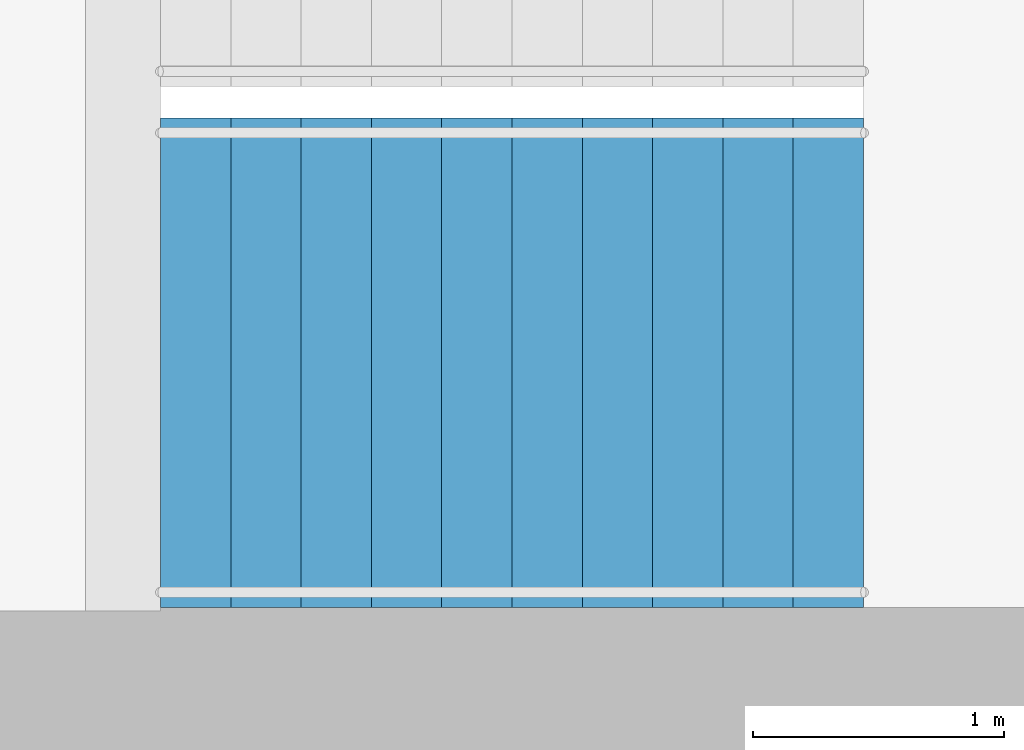
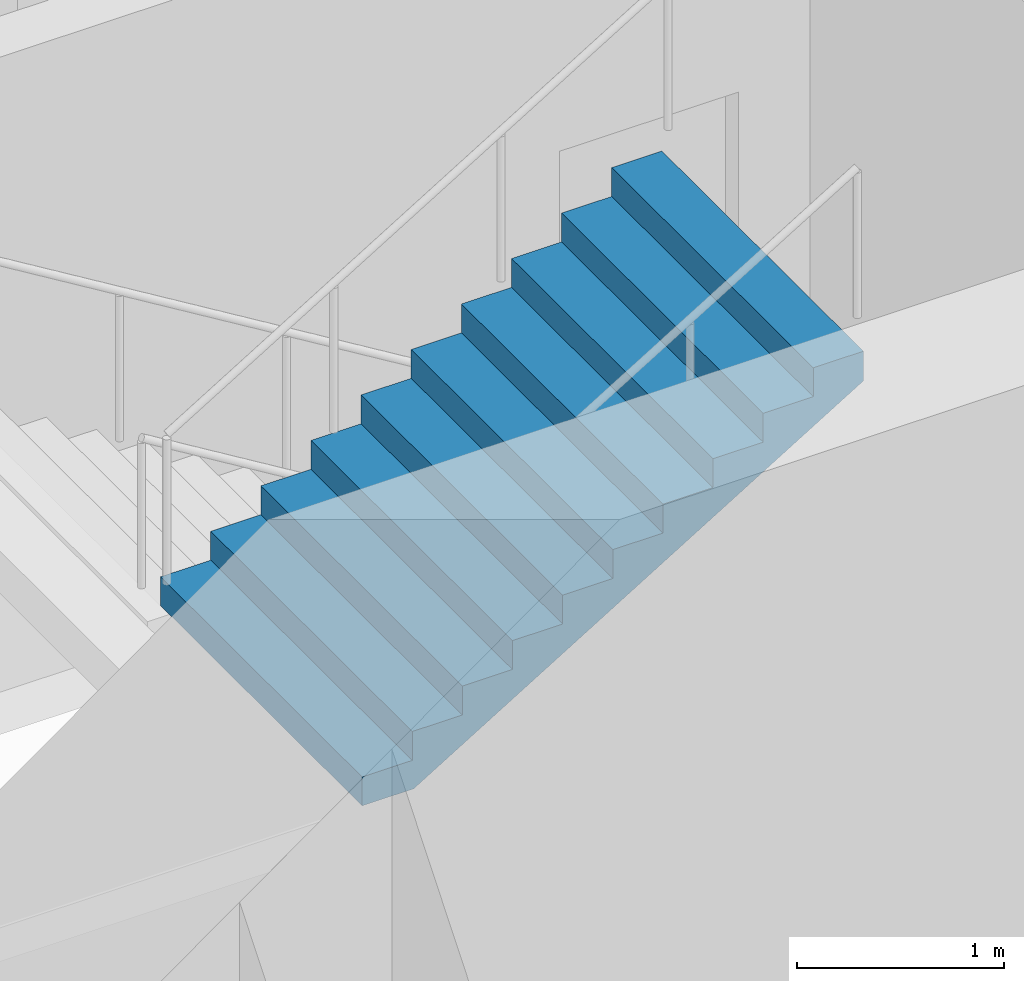
# One storey, part 21 of 23: 1 stair flight, 1 element without a shape of its own.
"""IFC4 building model written with IfcOpenShell, lengths in metres."""

from ifc_helpers import new_model, si_unit, direction, frame, origin, place, context, subcontext, project, spatial, triangles, material, type_object, element, aggregate, save


model = new_model("IFC4")

# Units and contexts
model_context = context("Model", 3, precision=1e-05, world=origin(), true_north=direction((0.0, 1.0)))
body_context = subcontext(model_context, "Body", "Model", "MODEL_VIEW")
ifc_project = project(units=[si_unit("LENGTHUNIT", "METRE"), si_unit("AREAUNIT", "SQUARE_METRE"), si_unit("VOLUMEUNIT", "CUBIC_METRE"), si_unit("PLANEANGLEUNIT", "RADIAN"), si_unit("MASSUNIT", "GRAM", prefix="KILO")], contexts=[model_context])

# Site, building, storey
site_placement = place(None, origin())
site = spatial("IfcSite", under=ifc_project, at=site_placement, CompositionType="ELEMENT")
building_placement = place(site_placement, origin())
building = spatial("IfcBuilding", under=site, at=building_placement, Name="Orbita Commons", CompositionType="ELEMENT")
storey_placement = place(building_placement, frame((0.0, 0.0, 171.10009765625)))
storey = spatial("IfcBuildingStorey", under=building, at=storey_placement, Name="L42", CompositionType="ELEMENT", Elevation=171.10009765625)

# Stair, stair flight
ifc_material_1 = material(Name="Precast concrete C40/50", Category="concrete")
stair_type = type_object("IfcStairType", Name="Exit stair S2 2 flights 11 risers 170", PredefinedType="HALF_TURN_STAIR", material=ifc_material_1)
stair_placement = place(storey_placement, origin())
stair = element("IfcStair", 1, at=stair_placement, inside=storey, type_object=stair_type, Name="Exit stair S2 L42", PredefinedType="HALF_TURN_STAIR")
ifc_material_2 = material(Name="Precast concrete C40/50", Category="concrete")
stair_flight_type = type_object("IfcStairFlightType", Name="Stair flight 11 risers 170 x 280", PredefinedType="STRAIGHT", material=ifc_material_2)
stair_flight_placement = place(storey_placement, frame((60.75, 27.199951171875, 1.875), z_axis=(0.0, 0.0, 1.0), x_axis=(1.0, 0.0, 0.0)))
stair_flight = element("IfcStairFlight", 2, at=stair_flight_placement, type_object=stair_flight_type, Name="S2 flight 2", NumberOfRisers=11, NumberOfTreads=10, PredefinedType="STRAIGHT", RiserHeight=0.170454545, TreadLength=0.28, context=body_context, shape_type="Tessellation", body=[
    triangles([(0.0, 0.974976, 0.0), (0.0, 0.974976, 0.021307), (0.0, 0.81248, 0.021307), (0.0, 0.81248, 0.0), (0.0, 0.649984, 0.021307), (0.0, 0.649984, 0.0), (0.0, 0.487488, 0.021307), (0.0, 0.487488, 0.0), (0.0, 0.324992, 0.021307), (0.0, 0.324992, 0.0), (0.0, 0.162496, 0.021307), (0.0, 0.162496, 0.0), (0.0, 0.0, 0.021307), (0.0, 0.0, 0.0), (0.0, -0.162496, 0.021307), (0.0, -0.162496, 0.0), (0.0, -0.324992, 0.021307), (0.0, -0.324992, 0.0), (0.0, -0.487488, 0.021307), (0.0, -0.487488, 0.0), (0.0, -0.649984, 0.021307), (0.0, -0.649984, 0.0), (0.0, -0.81248, 0.021307), (0.0, -0.81248, 0.0), (0.0, -0.974976, 0.021307), (0.0, -0.974976, 0.0), (0.0, 0.974976, 0.042614), (0.0, 0.81248, 0.042614), (0.0, 0.649984, 0.042614), (0.0, 0.487488, 0.042614), (0.0, 0.324992, 0.042614), (0.0, 0.162496, 0.042614), (0.0, 0.0, 0.042614), (0.0, -0.162496, 0.042614), (0.0, -0.324992, 0.042614), (0.0, -0.487488, 0.042614), (0.0, -0.649984, 0.042614), (0.0, -0.81248, 0.042614), (0.0, -0.974976, 0.042614), (0.0, 0.974976, 0.06392), (0.0, 0.81248, 0.06392), (0.0, 0.649984, 0.06392), (0.0, 0.487488, 0.06392), (0.0, 0.324992, 0.06392), (0.0, 0.162496, 0.06392), (0.0, 0.0, 0.06392), (0.0, -0.162496, 0.06392), (0.0, -0.324992, 0.06392), (0.0, -0.487488, 0.06392), (0.0, -0.649984, 0.06392), (0.0, -0.81248, 0.06392), (0.0, -0.974976, 0.06392), (0.0, 0.974976, 0.085227), (0.0, 0.81248, 0.085227), (0.0, 0.649984, 0.085227), (0.0, 0.487488, 0.085227), (0.0, 0.324992, 0.085227), (0.0, 0.162496, 0.085227), (0.0, 0.0, 0.085227), (0.0, -0.162496, 0.085227), (0.0, -0.324992, 0.085227), (0.0, -0.487488, 0.085227), (0.0, -0.649984, 0.085227), (0.0, -0.81248, 0.085227), (0.0, -0.974976, 0.085227), (0.0, 0.974976, 0.106534), (0.0, 0.81248, 0.106534), (0.0, 0.649984, 0.106534), (0.0, 0.487488, 0.106534), (0.0, 0.324992, 0.106534), (0.0, 0.162496, 0.106534), (0.0, 0.0, 0.106534), (0.0, -0.162496, 0.106534), (0.0, -0.324992, 0.106534), (0.0, -0.487488, 0.106534), (0.0, -0.649984, 0.106534), (0.0, -0.81248, 0.106534), (0.0, -0.974976, 0.106534), (0.0, 0.974976, 0.127841), (0.0, 0.81248, 0.127841), (0.0, 0.649984, 0.127841), (0.0, 0.487488, 0.127841), (0.0, 0.324992, 0.127841), (0.0, 0.162496, 0.127841), (0.0, 0.0, 0.127841), (0.0, -0.162496, 0.127841), (0.0, -0.324992, 0.127841), (0.0, -0.487488, 0.127841), (0.0, -0.649984, 0.127841), (0.0, -0.81248, 0.127841), (0.0, -0.974976, 0.127841), (0.0, 0.974976, 0.149148), (0.0, 0.81248, 0.149148), (0.0, 0.649984, 0.149148), (0.0, 0.487488, 0.149148), (0.0, 0.324992, 0.149148), (0.0, 0.162496, 0.149148), (0.0, 0.0, 0.149148), (0.0, -0.162496, 0.149148), (0.0, -0.324992, 0.149148), (0.0, -0.487488, 0.149148), (0.0, -0.649984, 0.149148), (0.0, -0.81248, 0.149148), (0.0, -0.974976, 0.149148), (0.0, 0.974976, 0.170455), (0.0, 0.81248, 0.170455), (0.0, 0.649984, 0.170455), (0.0, 0.487488, 0.170455), (0.0, 0.324992, 0.170455), (0.0, 0.162496, 0.170455), (0.0, 0.0, 0.170455), (0.0, -0.162496, 0.170455), (0.0, -0.324992, 0.170455), (0.0, -0.487488, 0.170455), (0.0, -0.649984, 0.170455), (0.0, -0.81248, 0.170455), (0.0, -0.974976, 0.170455), (0.28, 0.974976, 0.170455), (0.28, 0.81248, 0.170455), (0.28, 0.649984, 0.170455), (0.28, 0.487488, 0.170455), (0.28, 0.324992, 0.170455), (0.28, 0.162496, 0.170455), (0.28, 0.0, 0.170455), (0.28, -0.162496, 0.170455), (0.28, -0.324992, 0.170455), (0.28, -0.487488, 0.170455), (0.28, -0.649984, 0.170455), (0.28, -0.81248, 0.170455), (0.28, -0.974976, 0.170455), (0.28, 0.974976, 0.340909), (0.28, 0.81248, 0.340909), (0.28, 0.649984, 0.340909), (0.28, 0.487488, 0.340909), (0.28, 0.324992, 0.340909), (0.28, 0.162496, 0.340909), (0.28, 0.0, 0.340909), (0.28, -0.162496, 0.340909), (0.28, -0.324992, 0.340909), (0.28, -0.487488, 0.340909), (0.28, -0.649984, 0.340909), (0.28, -0.81248, 0.340909), (0.28, -0.974976, 0.340909), (0.56, 0.974976, 0.340909), (0.56, 0.81248, 0.340909), (0.56, 0.649984, 0.340909), (0.56, 0.487488, 0.340909), (0.56, 0.324992, 0.340909), (0.56, 0.162496, 0.340909), (0.56, 0.0, 0.340909), (0.56, -0.162496, 0.340909), (0.56, -0.324992, 0.340909), (0.56, -0.487488, 0.340909), (0.56, -0.649984, 0.340909), (0.56, -0.81248, 0.340909), (0.56, -0.974976, 0.340909), (0.56, 0.974976, 0.511364), (0.56, 0.81248, 0.511364), (0.56, 0.649984, 0.511364), (0.56, 0.487488, 0.511364), (0.56, 0.324992, 0.511364), (0.56, 0.162496, 0.511364), (0.56, 0.0, 0.511364), (0.56, -0.162496, 0.511364), (0.56, -0.324992, 0.511364), (0.56, -0.487488, 0.511364), (0.56, -0.649984, 0.511364), (0.56, -0.81248, 0.511364), (0.56, -0.974976, 0.511364), (0.84, 0.974976, 0.511364), (0.84, 0.81248, 0.511364), (0.84, 0.649984, 0.511364), (0.84, 0.487488, 0.511364), (0.84, 0.324992, 0.511364), (0.84, 0.162496, 0.511364), (0.84, 0.0, 0.511364), (0.84, -0.162496, 0.511364), (0.84, -0.324992, 0.511364), (0.84, -0.487488, 0.511364), (0.84, -0.649984, 0.511364), (0.84, -0.81248, 0.511364), (0.84, -0.974976, 0.511364), (0.84, 0.974976, 0.681818), (0.84, 0.81248, 0.681818), (0.84, 0.649984, 0.681818), (0.84, 0.487488, 0.681818), (0.84, 0.324992, 0.681818), (0.84, 0.162496, 0.681818), (0.84, 0.0, 0.681818), (0.84, -0.162496, 0.681818), (0.84, -0.324992, 0.681818), (0.84, -0.487488, 0.681818), (0.84, -0.649984, 0.681818), (0.84, -0.81248, 0.681818), (0.84, -0.974976, 0.681818), (1.12, 0.974976, 0.681818), (1.12, 0.81248, 0.681818), (1.12, 0.649984, 0.681818), (1.12, 0.487488, 0.681818), (1.12, 0.324992, 0.681818), (1.12, 0.162496, 0.681818), (1.12, 0.0, 0.681818), (1.12, -0.162496, 0.681818), (1.12, -0.324992, 0.681818), (1.12, -0.487488, 0.681818), (1.12, -0.649984, 0.681818), (1.12, -0.81248, 0.681818), (1.12, -0.974976, 0.681818), (1.12, 0.974976, 0.852273), (1.12, 0.81248, 0.852273), (1.12, 0.649984, 0.852273), (1.12, 0.487488, 0.852273), (1.12, 0.324992, 0.852273), (1.12, 0.162496, 0.852273), (1.12, 0.0, 0.852273), (1.12, -0.162496, 0.852273), (1.12, -0.324992, 0.852273), (1.12, -0.487488, 0.852273), (1.12, -0.649984, 0.852273), (1.12, -0.81248, 0.852273), (1.12, -0.974976, 0.852273), (1.4, 0.974976, 0.852273), (1.4, 0.81248, 0.852273), (1.4, 0.649984, 0.852273), (1.4, 0.487488, 0.852273), (1.4, 0.324992, 0.852273), (1.4, 0.162496, 0.852273), (1.4, 0.0, 0.852273), (1.4, -0.162496, 0.852273), (1.4, -0.324992, 0.852273), (1.4, -0.487488, 0.852273), (1.4, -0.649984, 0.852273), (1.4, -0.81248, 0.852273), (1.4, -0.974976, 0.852273), (1.4, 0.974976, 1.022727), (1.4, 0.81248, 1.022727), (1.4, 0.649984, 1.022727), (1.4, 0.487488, 1.022727), (1.4, 0.324992, 1.022727), (1.4, 0.162496, 1.022727), (1.4, 0.0, 1.022727), (1.4, -0.162496, 1.022727), (1.4, -0.324992, 1.022727), (1.4, -0.487488, 1.022727), (1.4, -0.649984, 1.022727), (1.4, -0.81248, 1.022727), (1.4, -0.974976, 1.022727), (1.68, 0.974976, 1.022727), (1.68, 0.81248, 1.022727), (1.68, 0.649984, 1.022727), (1.68, 0.487488, 1.022727), (1.68, 0.324992, 1.022727), (1.68, 0.162496, 1.022727), (1.68, 0.0, 1.022727), (1.68, -0.162496, 1.022727), (1.68, -0.324992, 1.022727), (1.68, -0.487488, 1.022727), (1.68, -0.649984, 1.022727), (1.68, -0.81248, 1.022727), (1.68, -0.974976, 1.022727), (1.68, 0.974976, 1.193182), (1.68, 0.81248, 1.193182), (1.68, 0.649984, 1.193182), (1.68, 0.487488, 1.193182), (1.68, 0.324992, 1.193182), (1.68, 0.162496, 1.193182), (1.68, 0.0, 1.193182), (1.68, -0.162496, 1.193182), (1.68, -0.324992, 1.193182), (1.68, -0.487488, 1.193182), (1.68, -0.649984, 1.193182), (1.68, -0.81248, 1.193182), (1.68, -0.974976, 1.193182), (1.96, 0.974976, 1.193182), (1.96, 0.81248, 1.193182), (1.96, 0.649984, 1.193182), (1.96, 0.487488, 1.193182), (1.96, 0.324992, 1.193182), (1.96, 0.162496, 1.193182), (1.96, 0.0, 1.193182), (1.96, -0.162496, 1.193182), (1.96, -0.324992, 1.193182), (1.96, -0.487488, 1.193182), (1.96, -0.649984, 1.193182), (1.96, -0.81248, 1.193182), (1.96, -0.974976, 1.193182), (1.96, 0.974976, 1.363636), (1.96, 0.81248, 1.363636), (1.96, 0.649984, 1.363636), (1.96, 0.487488, 1.363636), (1.96, 0.324992, 1.363636), (1.96, 0.162496, 1.363636), (1.96, 0.0, 1.363636), (1.96, -0.162496, 1.363636), (1.96, -0.324992, 1.363636), (1.96, -0.487488, 1.363636), (1.96, -0.649984, 1.363636), (1.96, -0.81248, 1.363636), (1.96, -0.974976, 1.363636), (2.24, 0.974976, 1.363636), (2.24, 0.81248, 1.363636), (2.24, 0.649984, 1.363636), (2.24, 0.487488, 1.363636), (2.24, 0.324992, 1.363636), (2.24, 0.162496, 1.363636), (2.24, 0.0, 1.363636), (2.24, -0.162496, 1.363636), (2.24, -0.324992, 1.363636), (2.24, -0.487488, 1.363636), (2.24, -0.649984, 1.363636), (2.24, -0.81248, 1.363636), (2.24, -0.974976, 1.363636), (2.24, 0.974976, 1.534091), (2.24, 0.81248, 1.534091), (2.24, 0.649984, 1.534091), (2.24, 0.487488, 1.534091), (2.24, 0.324992, 1.534091), (2.24, 0.162496, 1.534091), (2.24, 0.0, 1.534091), (2.24, -0.162496, 1.534091), (2.24, -0.324992, 1.534091), (2.24, -0.487488, 1.534091), (2.24, -0.649984, 1.534091), (2.24, -0.81248, 1.534091), (2.24, -0.974976, 1.534091), (2.52, 0.974976, 1.534091), (2.52, 0.81248, 1.534091), (2.52, 0.649984, 1.534091), (2.52, 0.487488, 1.534091), (2.52, 0.324992, 1.534091), (2.52, 0.162496, 1.534091), (2.52, 0.0, 1.534091), (2.52, -0.162496, 1.534091), (2.52, -0.324992, 1.534091), (2.52, -0.487488, 1.534091), (2.52, -0.649984, 1.534091), (2.52, -0.81248, 1.534091), (2.52, -0.974976, 1.534091), (2.52, 0.974976, 1.704545), (2.52, 0.81248, 1.704545), (2.52, 0.649984, 1.704545), (2.52, 0.487488, 1.704545), (2.52, 0.324992, 1.704545), (2.52, 0.162496, 1.704545), (2.52, 0.0, 1.704545), (2.52, -0.162496, 1.704545), (2.52, -0.324992, 1.704545), (2.52, -0.487488, 1.704545), (2.52, -0.649984, 1.704545), (2.52, -0.81248, 1.704545), (2.52, -0.974976, 1.704545), (2.8, 0.974976, 1.704545), (2.8, 0.81248, 1.704545), (2.8, 0.649984, 1.704545), (2.8, 0.487488, 1.704545), (2.8, 0.324992, 1.704545), (2.8, 0.162496, 1.704545), (2.8, 0.0, 1.704545), (2.8, -0.162496, 1.704545), (2.8, -0.324992, 1.704545), (2.8, -0.487488, 1.704545), (2.8, -0.649984, 1.704545), (2.8, -0.81248, 1.704545), (2.8, -0.974976, 1.704545), (2.8, 0.974976, 1.682609), (2.8, 0.81248, 1.682609), (2.8, 0.649984, 1.682609), (2.8, 0.487488, 1.682609), (2.8, 0.324992, 1.682609), (2.8, 0.162496, 1.682609), (2.8, 0.0, 1.682609), (2.8, -0.162496, 1.682609), (2.8, -0.324992, 1.682609), (2.8, -0.487488, 1.682609), (2.8, -0.649984, 1.682609), (2.8, -0.81248, 1.682609), (2.8, -0.974976, 1.682609), (2.8, 0.974976, 1.660672), (2.8, 0.81248, 1.660672), (2.8, 0.649984, 1.660672), (2.8, 0.487488, 1.660672), (2.8, 0.324992, 1.660672), (2.8, 0.162496, 1.660672), (2.8, 0.0, 1.660672), (2.8, -0.162496, 1.660672), (2.8, -0.324992, 1.660672), (2.8, -0.487488, 1.660672), (2.8, -0.649984, 1.660672), (2.8, -0.81248, 1.660672), (2.8, -0.974976, 1.660672), (2.8, 0.974976, 1.638735), (2.8, 0.81248, 1.638735), (2.8, 0.649984, 1.638735), (2.8, 0.487488, 1.638735), (2.8, 0.324992, 1.638735), (2.8, 0.162496, 1.638735), (2.8, 0.0, 1.638735), (2.8, -0.162496, 1.638735), (2.8, -0.324992, 1.638735), (2.8, -0.487488, 1.638735), (2.8, -0.649984, 1.638735), (2.8, -0.81248, 1.638735), (2.8, -0.974976, 1.638735), (2.8, 0.974976, 1.616798), (2.8, 0.81248, 1.616798), (2.8, 0.649984, 1.616798), (2.8, 0.487488, 1.616798), (2.8, 0.324992, 1.616798), (2.8, 0.162496, 1.616798), (2.8, 0.0, 1.616798), (2.8, -0.162496, 1.616798), (2.8, -0.324992, 1.616798), (2.8, -0.487488, 1.616798), (2.8, -0.649984, 1.616798), (2.8, -0.81248, 1.616798), (2.8, -0.974976, 1.616798), (2.8, 0.974976, 1.594861), (2.8, 0.81248, 1.594861), (2.8, 0.649984, 1.594861), (2.8, 0.487488, 1.594861), (2.8, 0.324992, 1.594861), (2.8, 0.162496, 1.594861), (2.8, 0.0, 1.594861), (2.8, -0.162496, 1.594861), (2.8, -0.324992, 1.594861), (2.8, -0.487488, 1.594861), (2.8, -0.649984, 1.594861), (2.8, -0.81248, 1.594861), (2.8, -0.974976, 1.594861), (2.8, 0.974976, 1.572925), (2.8, 0.81248, 1.572925), (2.8, 0.649984, 1.572925), (2.8, 0.487488, 1.572925), (2.8, 0.324992, 1.572925), (2.8, 0.162496, 1.572925), (2.8, 0.0, 1.572925), (2.8, -0.162496, 1.572925), (2.8, -0.324992, 1.572925), (2.8, -0.487488, 1.572925), (2.8, -0.649984, 1.572925), (2.8, -0.81248, 1.572925), (2.8, -0.974976, 1.572925), (2.8, 0.974976, 1.550988), (2.8, 0.81248, 1.550988), (2.8, 0.649984, 1.550988), (2.8, 0.487488, 1.550988), (2.8, 0.324992, 1.550988), (2.8, 0.162496, 1.550988), (2.8, 0.0, 1.550988), (2.8, -0.162496, 1.550988), (2.8, -0.324992, 1.550988), (2.8, -0.487488, 1.550988), (2.8, -0.649984, 1.550988), (2.8, -0.81248, 1.550988), (2.8, -0.974976, 1.550988), (2.8, 0.974976, 1.529051), (2.8, 0.81248, 1.529051), (2.8, 0.649984, 1.529051), (2.8, 0.487488, 1.529051), (2.8, 0.324992, 1.529051), (2.8, 0.162496, 1.529051), (2.8, 0.0, 1.529051), (2.8, -0.162496, 1.529051), (2.8, -0.324992, 1.529051), (2.8, -0.487488, 1.529051), (2.8, -0.649984, 1.529051), (2.8, -0.81248, 1.529051), (2.8, -0.974976, 1.529051), (0.288279, 0.974976, 0.0), (0.288279, 0.81248, 0.0), (0.288279, 0.649984, 0.0), (0.288279, 0.487488, 0.0), (0.288279, 0.324992, 0.0), (0.288279, 0.162496, 0.0), (0.288279, 0.0, 0.0), (0.288279, -0.162496, 0.0), (0.288279, -0.324992, 0.0), (0.288279, -0.487488, 0.0), (0.288279, -0.649984, 0.0), (0.288279, -0.81248, 0.0), (0.288279, -0.974976, 0.0)], [[3, 2, 1], [4, 3, 1], [5, 3, 4], [6, 5, 4], [7, 5, 6], [8, 7, 6], [9, 7, 8], [10, 9, 8], [11, 9, 10], [12, 11, 10], [13, 11, 12], [14, 13, 12], [15, 13, 14], [16, 15, 14], [17, 15, 16], [18, 17, 16], [19, 17, 18], [20, 19, 18], [21, 19, 20], [22, 21, 20], [23, 21, 22], [24, 23, 22], [25, 23, 24], [26, 25, 24], [28, 27, 2], [3, 28, 2], [29, 28, 3], [5, 29, 3], [30, 29, 5], [7, 30, 5], [31, 30, 7], [9, 31, 7], [32, 31, 9], [11, 32, 9], [33, 32, 11], [13, 33, 11], [34, 33, 13], [15, 34, 13], [35, 34, 15], [17, 35, 15], [36, 35, 17], [19, 36, 17], [37, 36, 19], [21, 37, 19], [38, 37, 21], [23, 38, 21], [39, 38, 23], [25, 39, 23], [41, 40, 27], [28, 41, 27], [42, 41, 28], [29, 42, 28], [43, 42, 29], [30, 43, 29], [44, 43, 30], [31, 44, 30], [45, 44, 31], [32, 45, 31], [46, 45, 32], [33, 46, 32], [47, 46, 33], [34, 47, 33], [48, 47, 34], [35, 48, 34], [49, 48, 35], [36, 49, 35], [50, 49, 36], [37, 50, 36], [51, 50, 37], [38, 51, 37], [52, 51, 38], [39, 52, 38], [54, 53, 40], [41, 54, 40], [55, 54, 41], [42, 55, 41], [56, 55, 42], [43, 56, 42], [57, 56, 43], [44, 57, 43], [58, 57, 44], [45, 58, 44], [59, 58, 45], [46, 59, 45], [60, 59, 46], [47, 60, 46], [61, 60, 47], [48, 61, 47], [62, 61, 48], [49, 62, 48], [63, 62, 49], [50, 63, 49], [64, 63, 50], [51, 64, 50], [65, 64, 51], [52, 65, 51], [67, 66, 53], [54, 67, 53], [68, 67, 54], [55, 68, 54], [69, 68, 55], [56, 69, 55], [70, 69, 56], [57, 70, 56], [71, 70, 57], [58, 71, 57], [72, 71, 58], [59, 72, 58], [73, 72, 59], [60, 73, 59], [74, 73, 60], [61, 74, 60], [75, 74, 61], [62, 75, 61], [76, 75, 62], [63, 76, 62], [77, 76, 63], [64, 77, 63], [78, 77, 64], [65, 78, 64], [80, 79, 66], [67, 80, 66], [81, 80, 67], [68, 81, 67], [82, 81, 68], [69, 82, 68], [83, 82, 69], [70, 83, 69], [84, 83, 70], [71, 84, 70], [85, 84, 71], [72, 85, 71], [86, 85, 72], [73, 86, 72], [87, 86, 73], [74, 87, 73], [88, 87, 74], [75, 88, 74], [89, 88, 75], [76, 89, 75], [90, 89, 76], [77, 90, 76], [91, 90, 77], [78, 91, 77], [93, 92, 79], [80, 93, 79], [94, 93, 80], [81, 94, 80], [95, 94, 81], [82, 95, 81], [96, 95, 82], [83, 96, 82], [97, 96, 83], [84, 97, 83], [98, 97, 84], [85, 98, 84], [99, 98, 85], [86, 99, 85], [100, 99, 86], [87, 100, 86], [101, 100, 87], [88, 101, 87], [102, 101, 88], [89, 102, 88], [103, 102, 89], [90, 103, 89], [104, 103, 90], [91, 104, 90], [106, 105, 92], [93, 106, 92], [107, 106, 93], [94, 107, 93], [108, 107, 94], [95, 108, 94], [109, 108, 95], [96, 109, 95], [110, 109, 96], [97, 110, 96], [111, 110, 97], [98, 111, 97], [112, 111, 98], [99, 112, 98], [113, 112, 99], [100, 113, 99], [114, 113, 100], [101, 114, 100], [115, 114, 101], [102, 115, 101], [116, 115, 102], [103, 116, 102], [117, 116, 103], [104, 117, 103], [119, 118, 105], [106, 119, 105], [120, 119, 106], [107, 120, 106], [121, 120, 107], [108, 121, 107], [122, 121, 108], [109, 122, 108], [123, 122, 109], [110, 123, 109], [124, 123, 110], [111, 124, 110], [125, 124, 111], [112, 125, 111], [126, 125, 112], [113, 126, 112], [127, 126, 113], [114, 127, 113], [128, 127, 114], [115, 128, 114], [129, 128, 115], [116, 129, 115], [130, 129, 116], [117, 130, 116], [132, 131, 118], [119, 132, 118], [133, 132, 119], [120, 133, 119], [134, 133, 120], [121, 134, 120], [135, 134, 121], [122, 135, 121], [136, 135, 122], [123, 136, 122], [137, 136, 123], [124, 137, 123], [138, 137, 124], [125, 138, 124], [139, 138, 125], [126, 139, 125], [140, 139, 126], [127, 140, 126], [141, 140, 127], [128, 141, 127], [142, 141, 128], [129, 142, 128], [143, 142, 129], [130, 143, 129], [145, 144, 131], [132, 145, 131], [146, 145, 132], [133, 146, 132], [147, 146, 133], [134, 147, 133], [148, 147, 134], [135, 148, 134], [149, 148, 135], [136, 149, 135], [150, 149, 136], [137, 150, 136], [151, 150, 137], [138, 151, 137], [152, 151, 138], [139, 152, 138], [153, 152, 139], [140, 153, 139], [154, 153, 140], [141, 154, 140], [155, 154, 141], [142, 155, 141], [156, 155, 142], [143, 156, 142], [158, 157, 144], [145, 158, 144], [159, 158, 145], [146, 159, 145], [160, 159, 146], [147, 160, 146], [161, 160, 147], [148, 161, 147], [162, 161, 148], [149, 162, 148], [163, 162, 149], [150, 163, 149], [164, 163, 150], [151, 164, 150], [165, 164, 151], [152, 165, 151], [166, 165, 152], [153, 166, 152], [167, 166, 153], [154, 167, 153], [168, 167, 154], [155, 168, 154], [169, 168, 155], [156, 169, 155], [171, 170, 157], [158, 171, 157], [172, 171, 158], [159, 172, 158], [173, 172, 159], [160, 173, 159], [174, 173, 160], [161, 174, 160], [175, 174, 161], [162, 175, 161], [176, 175, 162], [163, 176, 162], [177, 176, 163], [164, 177, 163], [178, 177, 164], [165, 178, 164], [179, 178, 165], [166, 179, 165], [180, 179, 166], [167, 180, 166], [181, 180, 167], [168, 181, 167], [182, 181, 168], [169, 182, 168], [184, 183, 170], [171, 184, 170], [185, 184, 171], [172, 185, 171], [186, 185, 172], [173, 186, 172], [187, 186, 173], [174, 187, 173], [188, 187, 174], [175, 188, 174], [189, 188, 175], [176, 189, 175], [190, 189, 176], [177, 190, 176], [191, 190, 177], [178, 191, 177], [192, 191, 178], [179, 192, 178], [193, 192, 179], [180, 193, 179], [194, 193, 180], [181, 194, 180], [195, 194, 181], [182, 195, 181], [197, 196, 183], [184, 197, 183], [198, 197, 184], [185, 198, 184], [199, 198, 185], [186, 199, 185], [200, 199, 186], [187, 200, 186], [201, 200, 187], [188, 201, 187], [202, 201, 188], [189, 202, 188], [203, 202, 189], [190, 203, 189], [204, 203, 190], [191, 204, 190], [205, 204, 191], [192, 205, 191], [206, 205, 192], [193, 206, 192], [207, 206, 193], [194, 207, 193], [208, 207, 194], [195, 208, 194], [210, 209, 196], [197, 210, 196], [211, 210, 197], [198, 211, 197], [212, 211, 198], [199, 212, 198], [213, 212, 199], [200, 213, 199], [214, 213, 200], [201, 214, 200], [215, 214, 201], [202, 215, 201], [216, 215, 202], [203, 216, 202], [217, 216, 203], [204, 217, 203], [218, 217, 204], [205, 218, 204], [219, 218, 205], [206, 219, 205], [220, 219, 206], [207, 220, 206], [221, 220, 207], [208, 221, 207], [223, 222, 209], [210, 223, 209], [224, 223, 210], [211, 224, 210], [225, 224, 211], [212, 225, 211], [226, 225, 212], [213, 226, 212], [227, 226, 213], [214, 227, 213], [228, 227, 214], [215, 228, 214], [229, 228, 215], [216, 229, 215], [230, 229, 216], [217, 230, 216], [231, 230, 217], [218, 231, 217], [232, 231, 218], [219, 232, 218], [233, 232, 219], [220, 233, 219], [234, 233, 220], [221, 234, 220], [236, 235, 222], [223, 236, 222], [237, 236, 223], [224, 237, 223], [238, 237, 224], [225, 238, 224], [239, 238, 225], [226, 239, 225], [240, 239, 226], [227, 240, 226], [241, 240, 227], [228, 241, 227], [242, 241, 228], [229, 242, 228], [243, 242, 229], [230, 243, 229], [244, 243, 230], [231, 244, 230], [245, 244, 231], [232, 245, 231], [246, 245, 232], [233, 246, 232], [247, 246, 233], [234, 247, 233], [249, 248, 235], [236, 249, 235], [250, 249, 236], [237, 250, 236], [251, 250, 237], [238, 251, 237], [252, 251, 238], [239, 252, 238], [253, 252, 239], [240, 253, 239], [254, 253, 240], [241, 254, 240], [255, 254, 241], [242, 255, 241], [256, 255, 242], [243, 256, 242], [257, 256, 243], [244, 257, 243], [258, 257, 244], [245, 258, 244], [259, 258, 245], [246, 259, 245], [260, 259, 246], [247, 260, 246], [262, 261, 248], [249, 262, 248], [263, 262, 249], [250, 263, 249], [264, 263, 250], [251, 264, 250], [265, 264, 251], [252, 265, 251], [266, 265, 252], [253, 266, 252], [267, 266, 253], [254, 267, 253], [268, 267, 254], [255, 268, 254], [269, 268, 255], [256, 269, 255], [270, 269, 256], [257, 270, 256], [271, 270, 257], [258, 271, 257], [272, 271, 258], [259, 272, 258], [273, 272, 259], [260, 273, 259], [275, 274, 261], [262, 275, 261], [276, 275, 262], [263, 276, 262], [277, 276, 263], [264, 277, 263], [278, 277, 264], [265, 278, 264], [279, 278, 265], [266, 279, 265], [280, 279, 266], [267, 280, 266], [281, 280, 267], [268, 281, 267], [282, 281, 268], [269, 282, 268], [283, 282, 269], [270, 283, 269], [284, 283, 270], [271, 284, 270], [285, 284, 271], [272, 285, 271], [286, 285, 272], [273, 286, 272], [288, 287, 274], [275, 288, 274], [289, 288, 275], [276, 289, 275], [290, 289, 276], [277, 290, 276], [291, 290, 277], [278, 291, 277], [292, 291, 278], [279, 292, 278], [293, 292, 279], [280, 293, 279], [294, 293, 280], [281, 294, 280], [295, 294, 281], [282, 295, 281], [296, 295, 282], [283, 296, 282], [297, 296, 283], [284, 297, 283], [298, 297, 284], [285, 298, 284], [299, 298, 285], [286, 299, 285], [301, 300, 287], [288, 301, 287], [302, 301, 288], [289, 302, 288], [303, 302, 289], [290, 303, 289], [304, 303, 290], [291, 304, 290], [305, 304, 291], [292, 305, 291], [306, 305, 292], [293, 306, 292], [307, 306, 293], [294, 307, 293], [308, 307, 294], [295, 308, 294], [309, 308, 295], [296, 309, 295], [310, 309, 296], [297, 310, 296], [311, 310, 297], [298, 311, 297], [312, 311, 298], [299, 312, 298], [314, 313, 300], [301, 314, 300], [315, 314, 301], [302, 315, 301], [316, 315, 302], [303, 316, 302], [317, 316, 303], [304, 317, 303], [318, 317, 304], [305, 318, 304], [319, 318, 305], [306, 319, 305], [320, 319, 306], [307, 320, 306], [321, 320, 307], [308, 321, 307], [322, 321, 308], [309, 322, 308], [323, 322, 309], [310, 323, 309], [324, 323, 310], [311, 324, 310], [325, 324, 311], [312, 325, 311], [327, 326, 313], [314, 327, 313], [328, 327, 314], [315, 328, 314], [329, 328, 315], [316, 329, 315], [330, 329, 316], [317, 330, 316], [331, 330, 317], [318, 331, 317], [332, 331, 318], [319, 332, 318], [333, 332, 319], [320, 333, 319], [334, 333, 320], [321, 334, 320], [335, 334, 321], [322, 335, 321], [336, 335, 322], [323, 336, 322], [337, 336, 323], [324, 337, 323], [338, 337, 324], [325, 338, 324], [340, 339, 326], [327, 340, 326], [341, 340, 327], [328, 341, 327], [342, 341, 328], [329, 342, 328], [343, 342, 329], [330, 343, 329], [344, 343, 330], [331, 344, 330], [345, 344, 331], [332, 345, 331], [346, 345, 332], [333, 346, 332], [347, 346, 333], [334, 347, 333], [348, 347, 334], [335, 348, 334], [349, 348, 335], [336, 349, 335], [350, 349, 336], [337, 350, 336], [351, 350, 337], [338, 351, 337], [353, 352, 339], [340, 353, 339], [354, 353, 340], [341, 354, 340], [355, 354, 341], [342, 355, 341], [356, 355, 342], [343, 356, 342], [357, 356, 343], [344, 357, 343], [358, 357, 344], [345, 358, 344], [359, 358, 345], [346, 359, 345], [360, 359, 346], [347, 360, 346], [361, 360, 347], [348, 361, 347], [362, 361, 348], [349, 362, 348], [363, 362, 349], [350, 363, 349], [364, 363, 350], [351, 364, 350], [366, 365, 352], [353, 366, 352], [367, 366, 353], [354, 367, 353], [368, 367, 354], [355, 368, 354], [369, 368, 355], [356, 369, 355], [370, 369, 356], [357, 370, 356], [371, 370, 357], [358, 371, 357], [372, 371, 358], [359, 372, 358], [373, 372, 359], [360, 373, 359], [374, 373, 360], [361, 374, 360], [375, 374, 361], [362, 375, 361], [376, 375, 362], [363, 376, 362], [377, 376, 363], [364, 377, 363], [379, 378, 365], [366, 379, 365], [380, 379, 366], [367, 380, 366], [381, 380, 367], [368, 381, 367], [382, 381, 368], [369, 382, 368], [383, 382, 369], [370, 383, 369], [384, 383, 370], [371, 384, 370], [385, 384, 371], [372, 385, 371], [386, 385, 372], [373, 386, 372], [387, 386, 373], [374, 387, 373], [388, 387, 374], [375, 388, 374], [389, 388, 375], [376, 389, 375], [390, 389, 376], [377, 390, 376], [392, 391, 378], [379, 392, 378], [393, 392, 379], [380, 393, 379], [394, 393, 380], [381, 394, 380], [395, 394, 381], [382, 395, 381], [396, 395, 382], [383, 396, 382], [397, 396, 383], [384, 397, 383], [398, 397, 384], [385, 398, 384], [399, 398, 385], [386, 399, 385], [400, 399, 386], [387, 400, 386], [401, 400, 387], [388, 401, 387], [402, 401, 388], [389, 402, 388], [403, 402, 389], [390, 403, 389], [405, 404, 391], [392, 405, 391], [406, 405, 392], [393, 406, 392], [407, 406, 393], [394, 407, 393], [408, 407, 394], [395, 408, 394], [409, 408, 395], [396, 409, 395], [410, 409, 396], [397, 410, 396], [411, 410, 397], [398, 411, 397], [412, 411, 398], [399, 412, 398], [413, 412, 399], [400, 413, 399], [414, 413, 400], [401, 414, 400], [415, 414, 401], [402, 415, 401], [416, 415, 402], [403, 416, 402], [418, 417, 404], [405, 418, 404], [419, 418, 405], [406, 419, 405], [420, 419, 406], [407, 420, 406], [421, 420, 407], [408, 421, 407], [422, 421, 408], [409, 422, 408], [423, 422, 409], [410, 423, 409], [424, 423, 410], [411, 424, 410], [425, 424, 411], [412, 425, 411], [426, 425, 412], [413, 426, 412], [427, 426, 413], [414, 427, 413], [428, 427, 414], [415, 428, 414], [429, 428, 415], [416, 429, 415], [431, 430, 417], [418, 431, 417], [432, 431, 418], [419, 432, 418], [433, 432, 419], [420, 433, 419], [434, 433, 420], [421, 434, 420], [435, 434, 421], [422, 435, 421], [436, 435, 422], [423, 436, 422], [437, 436, 423], [424, 437, 423], [438, 437, 424], [425, 438, 424], [439, 438, 425], [426, 439, 425], [440, 439, 426], [427, 440, 426], [441, 440, 427], [428, 441, 427], [442, 441, 428], [429, 442, 428], [444, 443, 430], [431, 444, 430], [445, 444, 431], [432, 445, 431], [446, 445, 432], [433, 446, 432], [447, 446, 433], [434, 447, 433], [448, 447, 434], [435, 448, 434], [449, 448, 435], [436, 449, 435], [450, 449, 436], [437, 450, 436], [451, 450, 437], [438, 451, 437], [452, 451, 438], [439, 452, 438], [453, 452, 439], [440, 453, 439], [454, 453, 440], [441, 454, 440], [455, 454, 441], [442, 455, 441], [457, 456, 443], [444, 457, 443], [458, 457, 444], [445, 458, 444], [459, 458, 445], [446, 459, 445], [460, 459, 446], [447, 460, 446], [461, 460, 447], [448, 461, 447], [462, 461, 448], [449, 462, 448], [463, 462, 449], [450, 463, 449], [464, 463, 450], [451, 464, 450], [465, 464, 451], [452, 465, 451], [466, 465, 452], [453, 466, 452], [467, 466, 453], [454, 467, 453], [468, 467, 454], [455, 468, 454], [470, 469, 456], [457, 470, 456], [471, 470, 457], [458, 471, 457], [472, 471, 458], [459, 472, 458], [473, 472, 459], [460, 473, 459], [474, 473, 460], [461, 474, 460], [475, 474, 461], [462, 475, 461], [476, 475, 462], [463, 476, 462], [477, 476, 463], [464, 477, 463], [478, 477, 464], [465, 478, 464], [479, 478, 465], [466, 479, 465], [480, 479, 466], [467, 480, 466], [481, 480, 467], [468, 481, 467], [4, 1, 469], [470, 4, 469], [6, 4, 470], [471, 6, 470], [8, 6, 471], [472, 8, 471], [10, 8, 472], [473, 10, 472], [12, 10, 473], [474, 12, 473], [14, 12, 474], [475, 14, 474], [16, 14, 475], [476, 16, 475], [18, 16, 476], [477, 18, 476], [20, 18, 477], [478, 20, 477], [22, 20, 478], [479, 22, 478], [24, 22, 479], [480, 24, 479], [26, 24, 480], [481, 26, 480], [456, 469, 1], [26, 481, 468], [443, 456, 1], [26, 468, 455], [430, 443, 1], [26, 455, 442], [417, 430, 1], [26, 442, 429], [404, 417, 1], [26, 429, 416], [391, 404, 1], [26, 416, 403], [378, 391, 1], [26, 403, 390], [365, 378, 1], [26, 390, 377], [339, 352, 365], [377, 364, 351], [326, 339, 365], [377, 351, 338], [300, 313, 326], [338, 325, 312], [300, 326, 365], [377, 338, 312], [274, 287, 300], [312, 299, 286], [274, 300, 365], [377, 312, 286], [248, 261, 274], [286, 273, 260], [248, 274, 365], [377, 286, 260], [222, 235, 248], [260, 247, 234], [222, 248, 365], [377, 260, 234], [196, 209, 222], [234, 221, 208], [196, 222, 365], [377, 234, 208], [170, 183, 196], [208, 195, 182], [170, 196, 365], [377, 208, 182], [144, 157, 170], [182, 169, 156], [144, 170, 365], [377, 182, 156], [118, 131, 144], [156, 143, 130], [118, 144, 365], [377, 156, 130], [118, 365, 1], [26, 377, 130], [92, 105, 118], [130, 117, 104], [79, 92, 118], [130, 104, 91], [66, 79, 118], [130, 91, 78], [53, 66, 118], [130, 78, 65], [40, 53, 118], [130, 65, 52], [27, 40, 118], [130, 52, 39], [2, 27, 118], [130, 39, 25], [1, 2, 118], [130, 25, 26]], closed=True),
])
aggregate(stair, [stair_flight])

save(model, "model.ifc")
